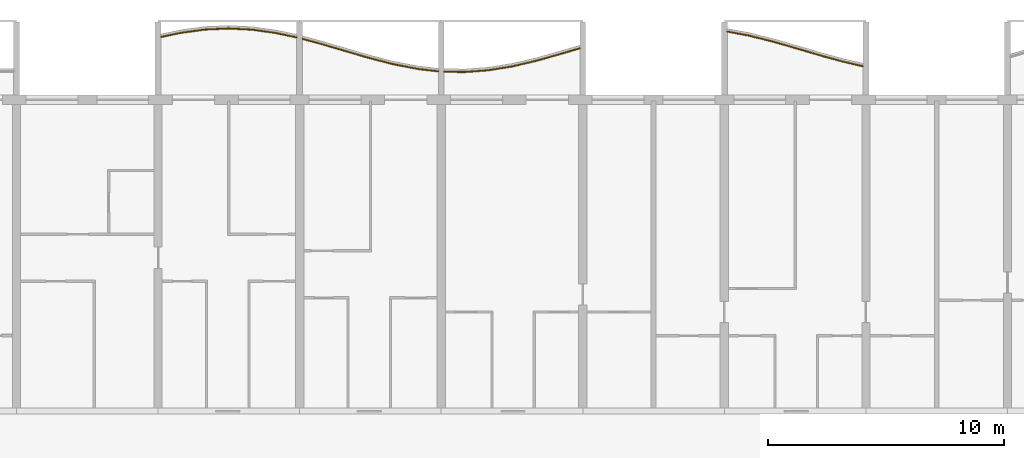
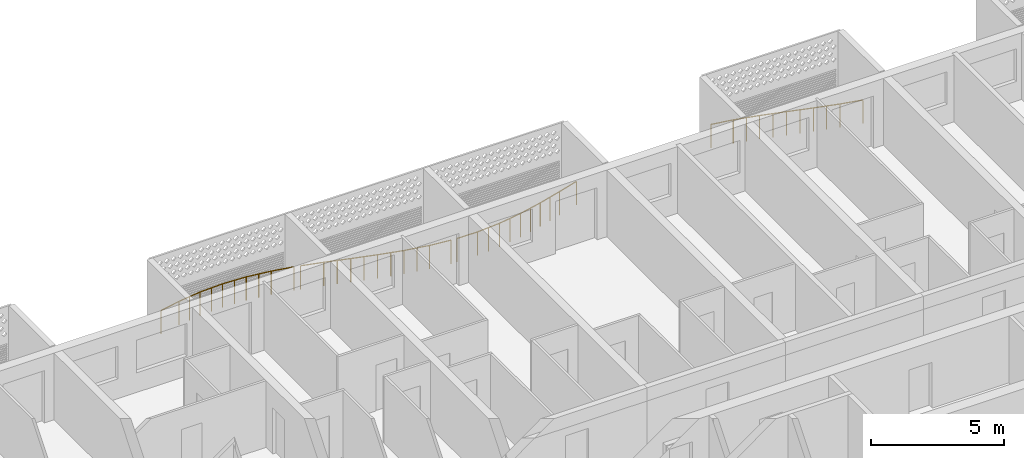
# One storey, part 22 of 26: 4 railings.
"""IFC4 building model written with IfcOpenShell, lengths in metres."""

from ifc_helpers import new_model, si_unit, direction, frame, origin, origin_2d, place, context, subcontext, project, spatial, circle, extrude, material, type_object, element, save


model = new_model("IFC4")

# Units and contexts
model_context = context("Model", 3, precision=1e-05, world=origin(), true_north=direction((0.0, 1.0)))
body_context = subcontext(model_context, "Body", "Model", "MODEL_VIEW")
ifc_project = project(units=[si_unit("LENGTHUNIT", "METRE"), si_unit("AREAUNIT", "SQUARE_METRE"), si_unit("VOLUMEUNIT", "CUBIC_METRE"), si_unit("PLANEANGLEUNIT", "RADIAN"), si_unit("MASSUNIT", "GRAM", prefix="KILO")], contexts=[model_context])

# Site, building, storey
site_placement = place(None, origin())
site = spatial("IfcSite", under=ifc_project, at=site_placement, CompositionType="ELEMENT")
building_placement = place(site_placement, origin())
building = spatial("IfcBuilding", under=site, at=building_placement, Name="Poui Terraces", CompositionType="ELEMENT")
storey_placement = place(building_placement, frame((0.0, 0.0, 79.5)))
storey = spatial("IfcBuildingStorey", under=building, at=storey_placement, Name="L21", CompositionType="ELEMENT", Elevation=79.5)

# Railings
ifc_material = material(Name="Painted steel fretwork", Category="steel")
railing_type = type_object("IfcRailingType", Name="BALCONY GUARD 1100", PredefinedType="GUARDRAIL", material=ifc_material)
railing_1_placement = place(storey_placement, frame((42.125, 46.260498046875, 0.0)))
element("IfcRailing", 1, at=railing_1_placement, inside=storey, type_object=railing_type, Name="BALCONY GUARD", PredefinedType="GUARDRAIL", context=body_context, shape_type="SweptSolid", body=[
    extrude(circle(Radius=0.02392578125, at=origin_2d()), frame((0.0, 0.0, 1.076171875), z_axis=(0.979179968629, 0.202994061577, 0.0), x_axis=(-0.202994061577, 0.979179968629, 0.0)), (0.0, 0.0, 1.0), 0.8935546875),
    extrude(circle(Radius=0.02392578125, at=origin_2d()), frame((0.875, 0.181396484375, 1.076171875), z_axis=(0.991104904979, 0.133082934018, 0.0), x_axis=(-0.133082934018, 0.991104904979, 0.0)), (0.0, 0.0, 1.0), 1.009033203125),
    extrude(circle(Radius=0.02392578125, at=origin_2d()), frame((1.875, 0.315673828125, 1.076171875), z_axis=(0.999046469355, 0.043659501468, 0.0), x_axis=(-0.043659501468, 0.999046469355, 0.0)), (0.0, 0.0, 1.0), 1.0009765625),
    extrude(circle(Radius=0.02392578125, at=origin_2d()), frame((2.875, 0.359375, 1.076171875), z_axis=(0.998675805692, -0.051445457764, 0.0), x_axis=(0.051445457764, 0.998675805692, 0.0)), (0.0, 0.0, 1.0), 1.001220703125),
    extrude(circle(Radius=0.02392578125, at=origin_2d()), frame((3.875, 0.307861328125, 1.076171875), z_axis=(0.99015631817, -0.13996594439, 0.0), x_axis=(0.13996594439, 0.99015631817, 0.0)), (0.0, 0.0, 1.0), 1.010009765625),
    extrude(circle(Radius=0.02392578125, at=origin_2d()), frame((4.875, 0.16650390625, 1.076171875), z_axis=(0.978081102003, -0.208224297106, 0.0), x_axis=(0.208224297106, 0.978081102003, 0.0)), (0.0, 0.0, 1.0), 0.89453125),
    extrude(circle(Radius=0.02099609375, at=origin_2d()), origin(), (0.0, 0.0, 1.0), 1.052001953125),
    extrude(circle(Radius=0.02099609375, at=origin_2d()), frame((0.875, 0.181396484375, 0.0)), (0.0, 0.0, 1.0), 1.052001953125),
    extrude(circle(Radius=0.02099609375, at=origin_2d()), frame((1.375, 0.24853515625, 0.0)), (0.0, 0.0, 1.0), 1.052001953125),
    extrude(circle(Radius=0.02099609375, at=origin_2d()), frame((1.875, 0.315673828125, 0.0)), (0.0, 0.0, 1.0), 1.052001953125),
    extrude(circle(Radius=0.02099609375, at=origin_2d()), frame((2.375, 0.33740234375, 0.0)), (0.0, 0.0, 1.0), 1.052001953125),
    extrude(circle(Radius=0.02099609375, at=origin_2d()), frame((2.875, 0.359375, 0.0)), (0.0, 0.0, 1.0), 1.052001953125),
    extrude(circle(Radius=0.02099609375, at=origin_2d()), frame((3.375, 0.33349609375, 0.0)), (0.0, 0.0, 1.0), 1.052001953125),
    extrude(circle(Radius=0.02099609375, at=origin_2d()), frame((3.875, 0.307861328125, 0.0)), (0.0, 0.0, 1.0), 1.052001953125),
    extrude(circle(Radius=0.02099609375, at=origin_2d()), frame((4.375, 0.2373046875, 0.0)), (0.0, 0.0, 1.0), 1.052001953125),
    extrude(circle(Radius=0.02099609375, at=origin_2d()), frame((4.875, 0.16650390625, 0.0)), (0.0, 0.0, 1.0), 1.052001953125),
    extrude(circle(Radius=0.02099609375, at=origin_2d()), frame((5.75, -0.019775390625, 0.0)), (0.0, 0.0, 1.0), 1.052001953125),
])
railing_2_placement = place(storey_placement, frame((48.125, 46.1787109375, 0.0)))
element("IfcRailing", 2, at=railing_2_placement, inside=storey, type_object=railing_type, Name="BALCONY GUARD", PredefinedType="GUARDRAIL", context=body_context, shape_type="SweptSolid", body=[
    extrude(circle(Radius=0.02392578125, at=origin_2d()), frame((0.0, 0.0, 1.076171875), z_axis=(0.964863154502, -0.26275291261, 0.0), x_axis=(0.26275291261, 0.964863154502, 0.0)), (0.0, 0.0, 1.0), 0.906982421875),
    extrude(circle(Radius=0.02392578125, at=origin_2d()), frame((0.875, -0.23828125, 1.076171875), z_axis=(0.959092870386, -0.283091621166, 0.0), x_axis=(0.283091621166, 0.959092870386, 0.0)), (0.0, 0.0, 1.0), 1.042724609375),
    extrude(circle(Radius=0.02392578125, at=origin_2d()), frame((1.875, -0.533447265625, 1.076171875), z_axis=(0.960481812677, -0.278342751867, 0.0), x_axis=(0.278342751867, 0.960481812677, 0.0)), (0.0, 0.0, 1.0), 1.041259765625),
    extrude(circle(Radius=0.02392578125, at=origin_2d()), frame((2.875, -0.8232421875, 1.076171875), z_axis=(0.968962333186, -0.247208407759, 0.0), x_axis=(0.247208407759, 0.968962333186, 0.0)), (0.0, 0.0, 1.0), 1.031982421875),
    extrude(circle(Radius=0.02392578125, at=origin_2d()), frame((3.875, -1.078369140625, 1.076171875), z_axis=(0.981724998512, -0.190305090044, 0.0), x_axis=(0.190305090044, 0.981724998512, 0.0)), (0.0, 0.0, 1.0), 1.0185546875),
    extrude(circle(Radius=0.02392578125, at=origin_2d()), frame((4.875, -1.272216796875, 1.076171875), z_axis=(0.993074741363, -0.117484288599, 0.0), x_axis=(0.117484288599, 0.993074741363, 0.0)), (0.0, 0.0, 1.0), 0.881103515625),
    extrude(circle(Radius=0.02099609375, at=origin_2d()), origin(), (0.0, 0.0, 1.0), 1.052001953125),
    extrude(circle(Radius=0.02099609375, at=origin_2d()), frame((0.875, -0.23828125, 0.0)), (0.0, 0.0, 1.0), 1.052001953125),
    extrude(circle(Radius=0.02099609375, at=origin_2d()), frame((1.375, -0.3857421875, 0.0)), (0.0, 0.0, 1.0), 1.052001953125),
    extrude(circle(Radius=0.02099609375, at=origin_2d()), frame((1.875, -0.533447265625, 0.0)), (0.0, 0.0, 1.0), 1.052001953125),
    extrude(circle(Radius=0.02099609375, at=origin_2d()), frame((2.375, -0.67822265625, 0.0)), (0.0, 0.0, 1.0), 1.052001953125),
    extrude(circle(Radius=0.02099609375, at=origin_2d()), frame((2.875, -0.8232421875, 0.0)), (0.0, 0.0, 1.0), 1.052001953125),
    extrude(circle(Radius=0.02099609375, at=origin_2d()), frame((3.375, -0.95068359375, 0.0)), (0.0, 0.0, 1.0), 1.052001953125),
    extrude(circle(Radius=0.02099609375, at=origin_2d()), frame((3.875, -1.078369140625, 0.0)), (0.0, 0.0, 1.0), 1.052001953125),
    extrude(circle(Radius=0.02099609375, at=origin_2d()), frame((4.375, -1.17529296875, 0.0)), (0.0, 0.0, 1.0), 1.052001953125),
    extrude(circle(Radius=0.02099609375, at=origin_2d()), frame((4.875, -1.272216796875, 0.0)), (0.0, 0.0, 1.0), 1.052001953125),
    extrude(circle(Radius=0.02099609375, at=origin_2d()), frame((5.75, -1.375732421875, 0.0)), (0.0, 0.0, 1.0), 1.052001953125),
])
railing_3_placement = place(storey_placement, frame((54.125, 44.786376953125, 0.0)))
element("IfcRailing", 3, at=railing_3_placement, inside=storey, type_object=railing_type, Name="BALCONY GUARD", PredefinedType="GUARDRAIL", context=body_context, shape_type="SweptSolid", body=[
    extrude(circle(Radius=0.02392578125, at=origin_2d()), frame((0.0, 0.0, 1.076171875), z_axis=(0.999902700497, -0.013949535442, 0.0), x_axis=(0.013949535442, 0.999902700497, 0.0)), (0.0, 0.0, 1.0), 0.875),
    extrude(circle(Radius=0.02392578125, at=origin_2d()), frame((0.875, -0.01220703125, 1.076171875), z_axis=(0.997202940152, 0.074741528962, 0.0), x_axis=(-0.074741528962, 0.997202940152, 0.0)), (0.0, 0.0, 1.0), 1.002685546875),
    extrude(circle(Radius=0.02392578125, at=origin_2d()), frame((1.875, 0.062744140625, 1.076171875), z_axis=(0.987151750337, 0.159785549432, 0.0), x_axis=(-0.159785549432, 0.987151750337, 0.0)), (0.0, 0.0, 1.0), 1.012939453125),
    extrude(circle(Radius=0.02392578125, at=origin_2d()), frame((2.875, 0.224609375, 1.076171875), z_axis=(0.974037301865, 0.226387576019, 0.0), x_axis=(-0.226387576019, 0.974037301865, 0.0)), (0.0, 0.0, 1.0), 1.026611328125),
    extrude(circle(Radius=0.02392578125, at=origin_2d()), frame((3.875, 0.45703125, 1.076171875), z_axis=(0.963261408291, 0.268565558659, 0.0), x_axis=(-0.268565558659, 0.963261408291, 0.0)), (0.0, 0.0, 1.0), 1.0380859375),
    extrude(circle(Radius=0.02392578125, at=origin_2d()), frame((4.875, 0.73583984375, 1.076171875), z_axis=(0.95871981657, 0.284352445595, 0.0), x_axis=(-0.284352445595, 0.95871981657, 0.0)), (0.0, 0.0, 1.0), 0.91259765625),
    extrude(circle(Radius=0.02099609375, at=origin_2d()), origin(), (0.0, 0.0, 1.0), 1.052001953125),
    extrude(circle(Radius=0.02099609375, at=origin_2d()), frame((0.875, -0.01220703125, 0.0)), (0.0, 0.0, 1.0), 1.052001953125),
    extrude(circle(Radius=0.02099609375, at=origin_2d()), frame((1.375, 0.025390625, 0.0)), (0.0, 0.0, 1.0), 1.052001953125),
    extrude(circle(Radius=0.02099609375, at=origin_2d()), frame((1.875, 0.062744140625, 0.0)), (0.0, 0.0, 1.0), 1.052001953125),
    extrude(circle(Radius=0.02099609375, at=origin_2d()), frame((2.375, 0.1435546875, 0.0)), (0.0, 0.0, 1.0), 1.052001953125),
    extrude(circle(Radius=0.02099609375, at=origin_2d()), frame((2.875, 0.224609375, 0.0)), (0.0, 0.0, 1.0), 1.052001953125),
    extrude(circle(Radius=0.02099609375, at=origin_2d()), frame((3.375, 0.3408203125, 0.0)), (0.0, 0.0, 1.0), 1.052001953125),
    extrude(circle(Radius=0.02099609375, at=origin_2d()), frame((3.875, 0.45703125, 0.0)), (0.0, 0.0, 1.0), 1.052001953125),
    extrude(circle(Radius=0.02099609375, at=origin_2d()), frame((4.375, 0.596435546875, 0.0)), (0.0, 0.0, 1.0), 1.052001953125),
    extrude(circle(Radius=0.02099609375, at=origin_2d()), frame((4.875, 0.73583984375, 0.0)), (0.0, 0.0, 1.0), 1.052001953125),
    extrude(circle(Radius=0.02099609375, at=origin_2d()), frame((5.75, 0.995361328125, 0.0)), (0.0, 0.0, 1.0), 1.052001953125),
])
railing_4_placement = place(storey_placement, frame((66.125, 46.48974609375, 0.0)))
element("IfcRailing", 4, at=railing_4_placement, inside=storey, type_object=railing_type, Name="BALCONY GUARD", PredefinedType="GUARDRAIL", context=body_context, shape_type="SweptSolid", body=[
    extrude(circle(Radius=0.02392578125, at=origin_2d()), frame((0.0, 0.0, 1.076171875), z_axis=(0.983119723729, -0.182963408406, 0.0), x_axis=(0.182963408406, 0.983119723729, 0.0)), (0.0, 0.0, 1.0), 0.89013671875),
    extrude(circle(Radius=0.02392578125, at=origin_2d()), frame((0.875, -0.162841796875, 1.076171875), z_axis=(0.970918311966, -0.239411009542, 0.0), x_axis=(0.239411009542, 0.970918311966, 0.0)), (0.0, 0.0, 1.0), 1.030029296875),
    extrude(circle(Radius=0.02392578125, at=origin_2d()), frame((1.875, -0.409423828125, 1.076171875), z_axis=(0.96141758688, -0.275093118121, 0.0), x_axis=(0.275093118121, 0.96141758688, 0.0)), (0.0, 0.0, 1.0), 1.0400390625),
    extrude(circle(Radius=0.02392578125, at=origin_2d()), frame((2.875, -0.695556640625, 1.076171875), z_axis=(0.958774495191, -0.284168026651, 0.0), x_axis=(0.284168026651, 0.958774495191, 0.0)), (0.0, 0.0, 1.0), 1.04296875),
    extrude(circle(Radius=0.02392578125, at=origin_2d()), frame((3.875, -0.991943359375, 1.076171875), z_axis=(0.963928100541, -0.26616276409, 0.0), x_axis=(0.26616276409, 0.963928100541, 0.0)), (0.0, 0.0, 1.0), 1.037353515625),
    extrude(circle(Radius=0.02392578125, at=origin_2d()), frame((4.875, -1.26806640625, 1.076171875), z_axis=(0.974276529724, -0.225355815609, 0.0), x_axis=(0.225355815609, 0.974276529724, 0.0)), (0.0, 0.0, 1.0), 0.898193359375),
    extrude(circle(Radius=0.02099609375, at=origin_2d()), origin(), (0.0, 0.0, 1.0), 1.052001953125),
    extrude(circle(Radius=0.02099609375, at=origin_2d()), frame((0.875, -0.162841796875, 0.0)), (0.0, 0.0, 1.0), 1.052001953125),
    extrude(circle(Radius=0.02099609375, at=origin_2d()), frame((1.375, -0.2861328125, 0.0)), (0.0, 0.0, 1.0), 1.052001953125),
    extrude(circle(Radius=0.02099609375, at=origin_2d()), frame((1.875, -0.409423828125, 0.0)), (0.0, 0.0, 1.0), 1.052001953125),
    extrude(circle(Radius=0.02099609375, at=origin_2d()), frame((2.375, -0.552490234375, 0.0)), (0.0, 0.0, 1.0), 1.052001953125),
    extrude(circle(Radius=0.02099609375, at=origin_2d()), frame((2.875, -0.695556640625, 0.0)), (0.0, 0.0, 1.0), 1.052001953125),
    extrude(circle(Radius=0.02099609375, at=origin_2d()), frame((3.375, -0.84375, 0.0)), (0.0, 0.0, 1.0), 1.052001953125),
    extrude(circle(Radius=0.02099609375, at=origin_2d()), frame((3.875, -0.991943359375, 0.0)), (0.0, 0.0, 1.0), 1.052001953125),
    extrude(circle(Radius=0.02099609375, at=origin_2d()), frame((4.375, -1.1298828125, 0.0)), (0.0, 0.0, 1.0), 1.052001953125),
    extrude(circle(Radius=0.02099609375, at=origin_2d()), frame((4.875, -1.26806640625, 0.0)), (0.0, 0.0, 1.0), 1.052001953125),
    extrude(circle(Radius=0.02099609375, at=origin_2d()), frame((5.75, -1.470458984375, 0.0)), (0.0, 0.0, 1.0), 1.052001953125),
])

save(model, "model.ifc")
